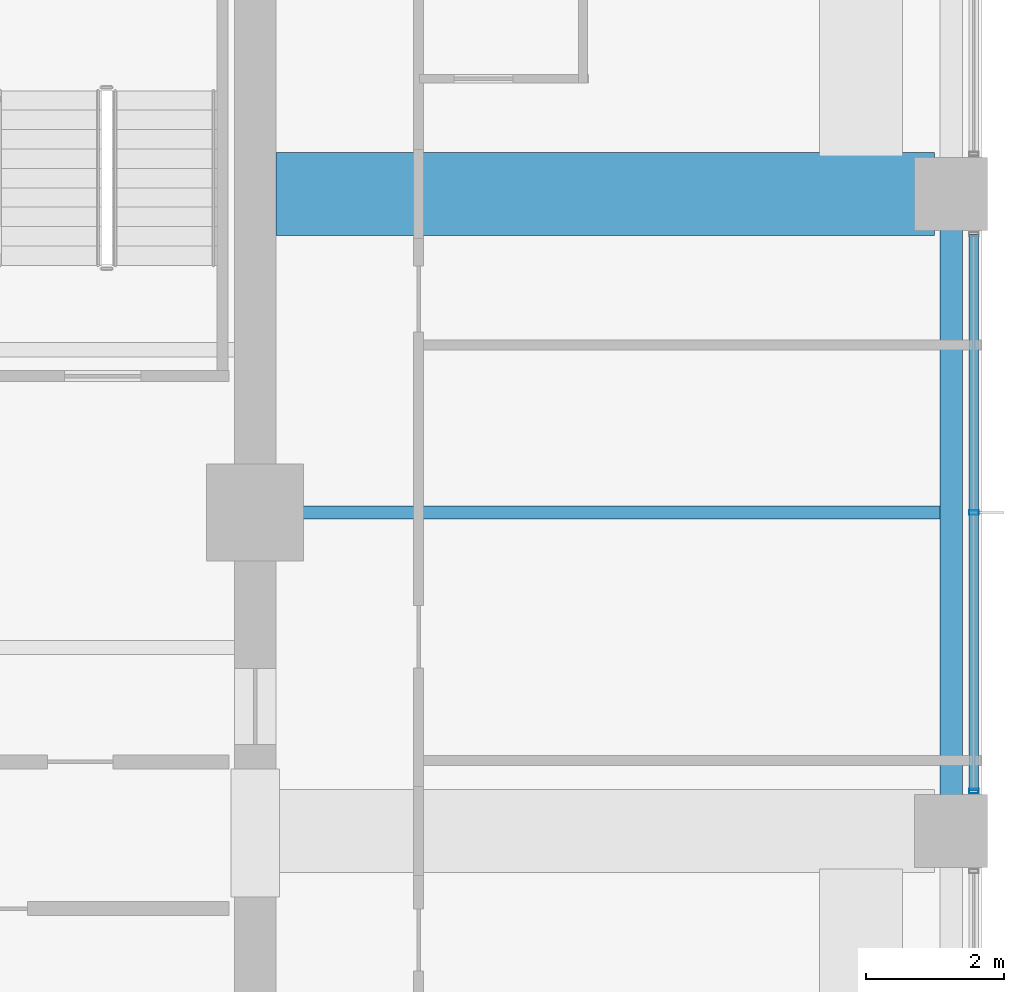
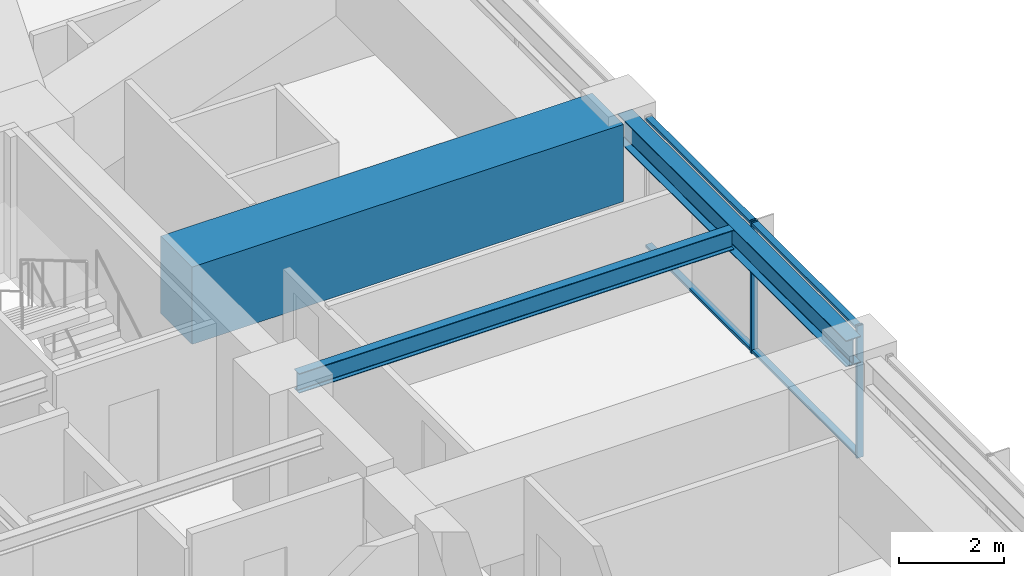
# One storey, part 15 of 34: 4 members, 3 beams, 1 element without a shape of its own.
"""IFC4 building model written with IfcOpenShell, lengths in metres."""

from ifc_helpers import new_model, si_unit, direction, frame, origin, origin_2d, place, context, subcontext, project, spatial, rectangle, hollow_rectangle, i_section, extrude, material, material_profile, profile_set, type_object, element, aggregate, save


model = new_model("IFC4")

# Units and contexts
model_context = context("Model", 3, precision=1e-05, world=origin(), true_north=direction((0.0, 1.0)))
body_context = subcontext(model_context, "Body", "Model", "MODEL_VIEW")
ifc_project = project(units=[si_unit("LENGTHUNIT", "METRE"), si_unit("AREAUNIT", "SQUARE_METRE"), si_unit("VOLUMEUNIT", "CUBIC_METRE"), si_unit("PLANEANGLEUNIT", "RADIAN"), si_unit("MASSUNIT", "GRAM", prefix="KILO")], contexts=[model_context])

# Site, building, storey
site_placement = place(None, origin())
site = spatial("IfcSite", under=ifc_project, at=site_placement, CompositionType="ELEMENT")
building_placement = place(site_placement, origin())
building = spatial("IfcBuilding", under=site, at=building_placement, Name="Kolvaren Belvedere", CompositionType="ELEMENT")
storey_placement = place(building_placement, frame((0.0, 0.0, 105.199951171875)))
storey = spatial("IfcBuildingStorey", under=building, at=storey_placement, Name="L30", CompositionType="ELEMENT", Elevation=105.199951171875)

# Beams
ifc_material_1 = material(Name="Structural steel ASTM A992 Grade 50", Category="steel")
ifc_material_profile_1 = material_profile(ifc_material_1, i_section(OverallWidth=0.19091796875, OverallDepth=0.4599609375, WebThickness=0.010009765625, FlangeThickness=0.01611328125, FilletRadius=0.014892578125, at=origin_2d()), Name="W18X55")
ifc_profile_set_1 = profile_set([ifc_material_profile_1], Name="Structural steel ASTM A992 Grade 50")
beam_type_1 = type_object("IfcBeamType", Name="BM-JOIST-W18X55", PredefinedType="BEAM", material=ifc_profile_set_1)
beam_1_placement = place(storey_placement, frame((10.199951171875, 0.0, 2.85009765625), z_axis=(1.0, 0.0, 0.0), x_axis=(0.0, 1.0, 0.0)))
element("IfcBeam", 1, at=beam_1_placement, inside=storey, type_object=beam_type_1, Name="L30 East Centre Floor Beam", PredefinedType="BEAM", context=body_context, shape_type="SweptSolid", body=[
    extrude(i_section(OverallWidth=0.19091796875, OverallDepth=0.4599609375, WebThickness=0.010009765625, FlangeThickness=0.01611328125, FilletRadius=0.014892578125, at=origin_2d()), origin(), (0.0, 0.0, 1.0), 9.587646484375),
])
ifc_material_2 = material(Name="Structural steel ASTM A992 Grade 50", Category="steel")
ifc_material_profile_2 = material_profile(ifc_material_2, i_section(OverallWidth=0.324951171875, OverallDepth=0.615966796875, WebThickness=0.013916015625, FlangeThickness=0.021484375, FilletRadius=0.02001953125, at=origin_2d()), Name="W24X117")
ifc_profile_set_2 = profile_set([ifc_material_profile_2], Name="Structural steel ASTM A992 Grade 50")
beam_type_2 = type_object("IfcBeamType", Name="BM-SPAN-W24X117", PredefinedType="SPANDREL", material=ifc_profile_set_2)
beam_2_placement = place(storey_placement, frame((19.949951171875, -4.36376953125, 2.77197265625), z_axis=(0.0, 1.0, 0.0), x_axis=(-1.0, 0.0, 0.0)))
element("IfcBeam", 2, at=beam_2_placement, inside=storey, type_object=beam_type_2, Name="L30 Perimeter Spandrel E2-E3", PredefinedType="SPANDREL", context=body_context, shape_type="SweptSolid", body=[
    extrude(i_section(OverallWidth=0.324951171875, OverallDepth=0.615966796875, WebThickness=0.013916015625, FlangeThickness=0.021484375, FilletRadius=0.02001953125, at=origin_2d()), origin(), (0.0, 0.0, 1.0), 8.7275390625),
])
ifc_material_3 = material(Name="Concrete C50/60", Category="concrete")
ifc_material_profile_3 = material_profile(ifc_material_3, rectangle(XDim=1.199951171875, YDim=1.800048828125, at=origin_2d()), Name="RC 1200X1800")
ifc_profile_set_3 = profile_set([ifc_material_profile_3], Name="Concrete C50/60")
beam_type_3 = type_object("IfcBeamType", Name="BM-TG-1800", PredefinedType="BEAM", material=ifc_profile_set_3)
beam_3_placement = place(storey_placement, frame((10.199951171875, 4.60009765625, 2.179931640625), z_axis=(1.0, 0.0, 0.0), x_axis=(0.0, 1.0, 0.0)))
element("IfcBeam", 3, at=beam_3_placement, inside=storey, type_object=beam_type_3, Name="L30 East Radial Girder P", PredefinedType="BEAM", context=body_context, shape_type="SweptSolid", body=[
    extrude(rectangle(XDim=1.199951171875, YDim=1.800048828125, at=origin_2d()), origin(), (0.0, 0.0, 1.0), 9.513916015625),
])

# Curtain wall, members
ifc_material_4 = material(Name="Anodised pale-metal aluminium AA 6063-T6", Category="aluminium")
curtain_wall_type = type_object("IfcCurtainWallType", Name="CW-Z2-MID", PredefinedType="NOTDEFINED", material=ifc_material_4)
curtain_wall_placement = place(storey_placement, origin())
curtain_wall = element("IfcCurtainWall", 4, at=curtain_wall_placement, inside=storey, type_object=curtain_wall_type, Name="L30 Unitised Curtain Wall FCW-L30-E-B2", PredefinedType="NOTDEFINED")
ifc_material_5 = material(Name="Anodised pale-metal aluminium AA 6063-T6", Category="aluminium")
ifc_material_profile_4 = material_profile(ifc_material_5, hollow_rectangle(XDim=0.06494140625, YDim=0.139892578125, WallThickness=0.00390625, at=origin_2d()), Name="ALU-MUL-140X65")
ifc_profile_set_4 = profile_set([ifc_material_profile_4], Name="Anodised pale-metal aluminium AA 6063-T6")
member_type_1 = type_object("IfcMemberType", Name="CW-MUL-140", PredefinedType="MULLION", material=ifc_profile_set_4)
member_1_placement = place(storey_placement, frame((20.280029296875, 0.0, 0.0), z_axis=(0.0, 0.0, 1.0), x_axis=(0.0, 1.0, 0.0)))
member_1 = element("IfcMember", 5, at=member_1_placement, type_object=member_type_1, Name="FCW-L30-E-B2 Unitised Mullion 2", PredefinedType="MULLION", context=body_context, shape_type="SweptSolid", body=[
    extrude(hollow_rectangle(XDim=0.06494140625, YDim=0.139892578125, WallThickness=0.00390625, at=origin_2d()), origin(), (0.0, 0.0, 1.0), 3.080078125),
])
member_2_placement = place(storey_placement, frame((20.280029296875, -4.0224609375, 0.0), z_axis=(0.0, 0.0, 1.0), x_axis=(0.0, 1.0, 0.0)))
member_2 = element("IfcMember", 6, at=member_2_placement, type_object=member_type_1, Name="FCW-L30-E-B2 Unitised Mullion 3", PredefinedType="MULLION", context=body_context, shape_type="SweptSolid", body=[
    extrude(hollow_rectangle(XDim=0.06494140625, YDim=0.139892578125, WallThickness=0.00390625, at=origin_2d()), origin(), (0.0, 0.0, 1.0), 3.080078125),
])
ifc_material_6 = material(Name="Anodised pale-metal aluminium AA 6063-T6", Category="aluminium")
ifc_material_profile_5 = material_profile(ifc_material_6, hollow_rectangle(XDim=0.06005859375, YDim=0.139892578125, WallThickness=0.00390625, at=origin_2d()), Name="ALU-TRN-140X60")
ifc_profile_set_5 = profile_set([ifc_material_profile_5], Name="Anodised pale-metal aluminium AA 6063-T6")
member_type_2 = type_object("IfcMemberType", Name="CW-TRN-140", PredefinedType="USERDEFINED", material=ifc_profile_set_5)
member_3_placement = place(storey_placement, frame((20.280029296875, 4.0224609375, 0.06005859375), z_axis=(0.0, -1.0, 0.0), x_axis=(0.0, 0.0, 1.0)))
member_3 = element("IfcMember", 7, at=member_3_placement, type_object=member_type_2, Name="FCW-L30-E-B2 Sill Transom", ObjectType="TRANSOM", PredefinedType="USERDEFINED", context=body_context, shape_type="SweptSolid", body=[
    extrude(hollow_rectangle(XDim=0.06005859375, YDim=0.139892578125, WallThickness=0.00390625, at=origin_2d()), origin(), (0.0, 0.0, 1.0), 8.044921875),
])
member_4_placement = place(storey_placement, frame((20.280029296875, 4.0224609375, 3.02001953125), z_axis=(0.0, -1.0, 0.0), x_axis=(0.0, 0.0, 1.0)))
member_4 = element("IfcMember", 8, at=member_4_placement, type_object=member_type_2, Name="FCW-L30-E-B2 Head Transom", ObjectType="TRANSOM", PredefinedType="USERDEFINED", context=body_context, shape_type="SweptSolid", body=[
    extrude(hollow_rectangle(XDim=0.06005859375, YDim=0.139892578125, WallThickness=0.00390625, at=origin_2d()), origin(), (0.0, 0.0, 1.0), 8.044921875),
])
aggregate(curtain_wall, [member_1, member_2, member_3, member_4])

save(model, "model.ifc")
